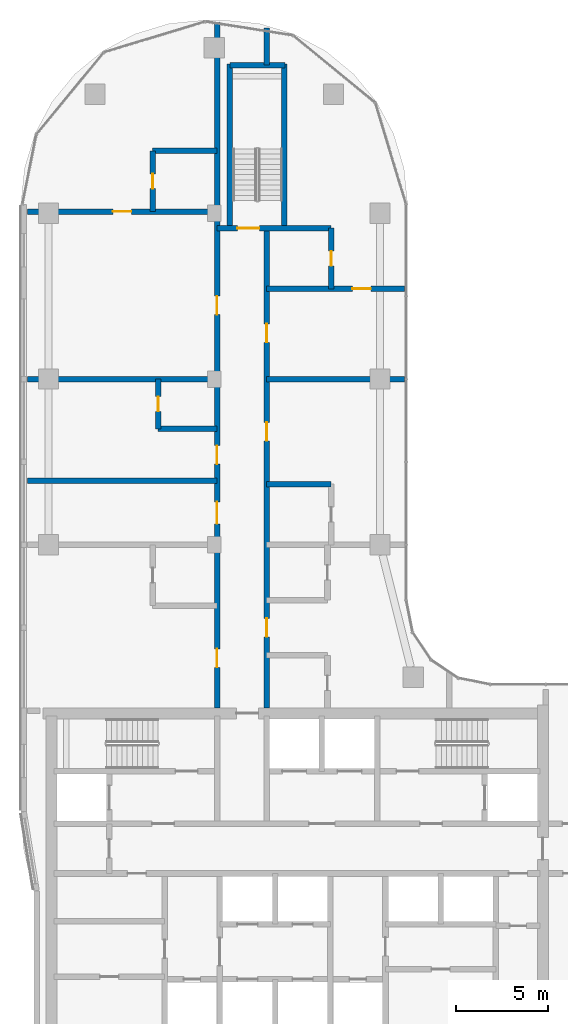
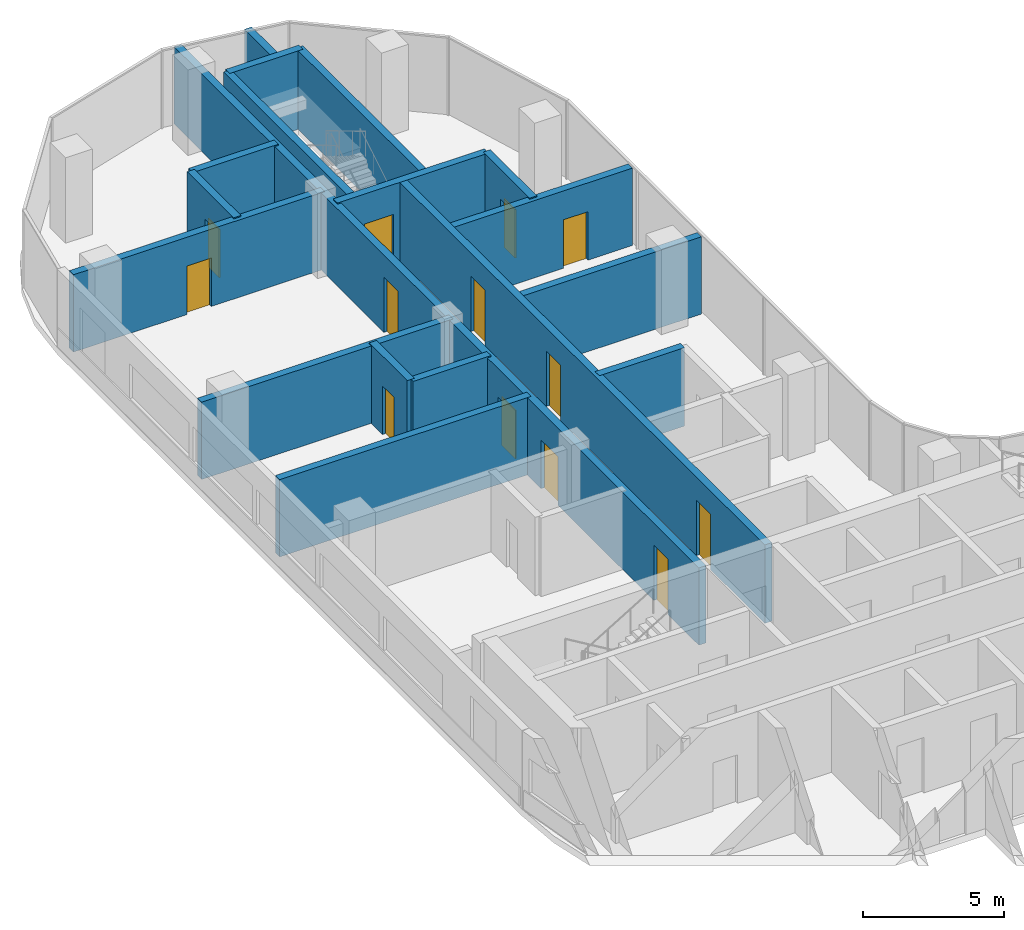
# One storey, part 13 of 23: 18 walls, 13 doors, 13 openings.
"""IFC4 building model written with IfcOpenShell, lengths in metres."""

from ifc_helpers import new_model, si_unit, direction, frame, frame_2d, origin, place, context, subcontext, project, spatial, rectangle, extrude, material, layer, layer_set, type_object, element, fill, save


model = new_model("IFC4")

# Units and contexts
model_context = context("Model", 3, precision=1e-05, world=origin(), true_north=direction((0.0, 1.0)))
body_context = subcontext(model_context, "Body", "Model", "MODEL_VIEW")
ifc_project = project(units=[si_unit("LENGTHUNIT", "METRE"), si_unit("AREAUNIT", "SQUARE_METRE"), si_unit("VOLUMEUNIT", "CUBIC_METRE"), si_unit("PLANEANGLEUNIT", "RADIAN"), si_unit("MASSUNIT", "GRAM", prefix="KILO")], contexts=[model_context])

# Site, building, storey
site_placement = place(None, origin())
site = spatial("IfcSite", under=ifc_project, at=site_placement, CompositionType="ELEMENT")
building_placement = place(site_placement, origin())
building = spatial("IfcBuilding", under=site, at=building_placement, Name="Ogive Portal Towers", CompositionType="ELEMENT")
storey_placement = place(building_placement, frame((0.0, 0.0, 149.60009765625)))
storey = spatial("IfcBuildingStorey", under=building, at=storey_placement, Name="L36", CompositionType="ELEMENT", Elevation=149.60009765625)

# Wall, opening, door
ifc_material_1 = material(Name="Concrete C50/60", Category="concrete")
ifc_layer_1 = layer(ifc_material_1, 0.300048828125)
ifc_layer_set_1 = layer_set([ifc_layer_1], Name="STAIR WALL 300 C50")
wall_type_1 = type_object("IfcWallType", Name="STAIR WALL 300 C50", PredefinedType="SHEAR", material=ifc_layer_set_1)
wall_1_placement = place(storey_placement, frame((40.64990234375, 65.699951171875, 0.0), z_axis=(0.0, 0.0, 1.0), x_axis=(1.0, 0.0, 0.0)))
wall_1 = element("IfcWall", 1, at=wall_1_placement, inside=storey, type_object=wall_type_1, Name="Stair wall ST-A3 L36", PredefinedType="SHEAR", context=body_context, shape_type="SweptSolid", body=[
    extrude(rectangle(XDim=6.2001953125, YDim=0.300048828125, at=frame_2d((3.10009765625, 0.0))), origin(), (0.0, 0.0, 1.0), 3.39990234375),
])
opening_1_placement = place(wall_1_placement, frame((1.10009765625, 0.0, 0.0)))
opening_1 = element("IfcOpeningElement", 2, at=opening_1_placement, cuts=wall_1, Name="Opening D14-053", PredefinedType="OPENING", context=body_context, shape_type="SweptSolid", body=[
    extrude(rectangle(XDim=1.199951171875, YDim=2.10009765625, at=frame_2d((0.60009765625, 1.050048828125))), frame((0.0, 0.16015625, 0.0), z_axis=(0.0, -1.0, 0.0), x_axis=(1.0, 0.0, 0.0)), (0.0, 0.0, 1.0), 0.320068359375),
])
ifc_material_2 = material(Name="Steel fire door", Category="steel")
door_type_1 = type_object("IfcDoorType", Name="DT-STAIR-1200x2100-FD90S", OperationType="SINGLE_SWING_LEFT", PredefinedType="DOOR", material=ifc_material_2)
door_1_placement = place(opening_1_placement, origin())
door_1 = element("IfcDoor", 3, at=door_1_placement, inside=storey, type_object=door_type_1, Name="Door D14-053", OperationType="SINGLE_SWING_RIGHT", OverallHeight=2.10009765625, OverallWidth=1.199951171875, PredefinedType="DOOR", context=body_context, shape_type="SweptSolid", body=[
    extrude(rectangle(XDim=1.199951171875, YDim=2.10009765625, at=frame_2d((0.60009765625, 1.050048828125))), frame((0.0, 0.02490234375, 0.0), z_axis=(0.0, -1.0, 0.0), x_axis=(1.0, 0.0, 0.0)), (0.0, 0.0, 1.0), 0.050048828125),
])
fill(opening_1, door_1)

# Walls
wall_2_placement = place(storey_placement, frame((41.35009765625, 74.550048828125, 0.0), z_axis=(0.0, 0.0, 1.0), x_axis=(1.0, 0.0, 0.0)))
element("IfcWall", 4, at=wall_2_placement, inside=storey, type_object=wall_type_1, Name="Stair wall ST-A3 L36", PredefinedType="SHEAR", context=body_context, shape_type="SweptSolid", body=[
    extrude(rectangle(XDim=3.0, YDim=0.300048828125, at=frame_2d((1.5, 0.0))), origin(), (0.0, 0.0, 1.0), 3.39990234375),
])
wall_3_placement = place(storey_placement, frame((41.35009765625, 65.75, 0.0), z_axis=(0.0, 0.0, 1.0), x_axis=(0.0, 1.0, 0.0)))
element("IfcWall", 5, at=wall_3_placement, inside=storey, type_object=wall_type_1, Name="Stair wall ST-A3 L36", PredefinedType="SHEAR", context=body_context, shape_type="SweptSolid", body=[
    extrude(rectangle(XDim=8.85009765625, YDim=0.300048828125, at=frame_2d((4.425048828125, 0.0))), origin(), (0.0, 0.0, 1.0), 3.39990234375),
])
wall_4_placement = place(storey_placement, frame((44.300048828125, 65.699951171875, 0.0), z_axis=(0.0, 0.0, 1.0), x_axis=(0.0, 1.0, 0.0)))
element("IfcWall", 6, at=wall_4_placement, inside=storey, type_object=wall_type_1, Name="Stair wall ST-A3 L36", PredefinedType="SHEAR", context=body_context, shape_type="SweptSolid", body=[
    extrude(rectangle(XDim=8.900146484375, YDim=0.300048828125, at=frame_2d((4.4501953125, 0.0))), origin(), (0.0, 0.0, 1.0), 3.39990234375),
])
ifc_material_3 = material(Name="Gypsum board partition on steel studs", Category="steel")
ifc_layer_2 = layer(ifc_material_3, 0.300048828125)
ifc_layer_set_2 = layer_set([ifc_layer_2], Name="WT-PART-300-EI 60")
wall_type_2 = type_object("IfcWallType", Name="WT-PART-300-EI 60", PredefinedType="PARTITIONING", material=ifc_layer_set_2)
wall_5_placement = place(storey_placement, frame((43.35009765625, 51.800048828125, 0.0), z_axis=(0.0, 0.0, 1.0), x_axis=(1.0, 0.0, 0.0)))
element("IfcWall", 7, at=wall_5_placement, inside=storey, type_object=wall_type_2, Name="Wall L36:w014", PredefinedType="PARTITIONING", context=body_context, shape_type="SweptSolid", body=[
    extrude(rectangle(XDim=3.5, YDim=0.300048828125, at=frame_2d((1.75, 0.0))), origin(), (0.0, 0.0, 1.0), 3.39990234375),
])
wall_6_placement = place(storey_placement, frame((30.35009765625, 51.969970703125, 0.0), z_axis=(0.0, 0.0, 1.0), x_axis=(1.0, 0.0, 0.0)))
element("IfcWall", 8, at=wall_6_placement, inside=storey, type_object=wall_type_2, Name="Wall L36:w015", PredefinedType="PARTITIONING", context=body_context, shape_type="SweptSolid", body=[
    extrude(rectangle(XDim=10.2998046875, YDim=0.300048828125, at=frame_2d((5.14990234375, 0.0))), origin(), (0.0, 0.0, 1.0), 3.349853515625),
])
wall_7_placement = place(storey_placement, frame((37.449951171875, 54.800048828125, 0.0), z_axis=(0.0, 0.0, 1.0), x_axis=(1.0, 0.0, 0.0)))
element("IfcWall", 9, at=wall_7_placement, inside=storey, type_object=wall_type_2, Name="Wall L36:w016", PredefinedType="PARTITIONING", context=body_context, shape_type="SweptSolid", body=[
    extrude(rectangle(XDim=3.199951171875, YDim=0.300048828125, at=frame_2d((1.60009765625, 0.0))), origin(), (0.0, 0.0, 1.0), 3.39990234375),
])
wall_8_placement = place(storey_placement, frame((30.35009765625, 57.5, 0.0), z_axis=(0.0, 0.0, 1.0), x_axis=(1.0, 0.0, 0.0)))
element("IfcWall", 10, at=wall_8_placement, inside=storey, type_object=wall_type_2, Name="Wall L36:w017", PredefinedType="PARTITIONING", context=body_context, shape_type="SweptSolid", body=[
    extrude(rectangle(XDim=10.2998046875, YDim=0.300048828125, at=frame_2d((5.14990234375, 0.0))), origin(), (0.0, 0.0, 1.0), 3.349853515625),
])
wall_9_placement = place(storey_placement, frame((43.35009765625, 57.5, 0.0), z_axis=(0.0, 0.0, 1.0), x_axis=(1.0, 0.0, 0.0)))
element("IfcWall", 11, at=wall_9_placement, inside=storey, type_object=wall_type_2, Name="Wall L36:w018", PredefinedType="PARTITIONING", context=body_context, shape_type="SweptSolid", body=[
    extrude(rectangle(XDim=7.47998046875, YDim=0.300048828125, at=frame_2d((3.739990234375, 0.0))), origin(), (0.0, 0.0, 1.0), 3.349853515625),
])

# Wall, opening, door
wall_10_placement = place(storey_placement, frame((43.35009765625, 62.39990234375, 0.0), z_axis=(0.0, 0.0, 1.0), x_axis=(1.0, 0.0, 0.0)))
wall_10 = element("IfcWall", 12, at=wall_10_placement, inside=storey, type_object=wall_type_2, Name="Wall L36:w019", PredefinedType="PARTITIONING", context=body_context, shape_type="SweptSolid", body=[
    extrude(rectangle(XDim=7.47998046875, YDim=0.300048828125, at=frame_2d((3.739990234375, 0.0))), origin(), (0.0, 0.0, 1.0), 3.349853515625),
])
opening_2_placement = place(wall_10_placement, frame((4.64990234375, 0.0, 0.0)))
opening_2 = element("IfcOpeningElement", 13, at=opening_2_placement, cuts=wall_10, Name="Opening D14-044", PredefinedType="OPENING", context=body_context, shape_type="SweptSolid", body=[
    extrude(rectangle(XDim=1.0, YDim=2.10009765625, at=frame_2d((0.5, 1.050048828125))), frame((0.0, 0.16015625, 0.0), z_axis=(0.0, -1.0, 0.0), x_axis=(1.0, 0.0, 0.0)), (0.0, 0.0, 1.0), 0.320068359375),
])
door_type_2 = type_object("IfcDoorType", Name="DT-ENTRY-1000x2100-FD60S", OperationType="SINGLE_SWING_LEFT", PredefinedType="DOOR", material=ifc_material_2)
door_2_placement = place(opening_2_placement, origin())
door_2 = element("IfcDoor", 14, at=door_2_placement, inside=storey, type_object=door_type_2, Name="Door D14-044", OperationType="SINGLE_SWING_LEFT", OverallHeight=2.10009765625, OverallWidth=1.0, PredefinedType="DOOR", context=body_context, shape_type="SweptSolid", body=[
    extrude(rectangle(XDim=1.0, YDim=2.10009765625, at=frame_2d((0.5, 1.050048828125))), frame((0.0, 0.02490234375, 0.0), z_axis=(0.0, -1.0, 0.0), x_axis=(1.0, 0.0, 0.0)), (0.0, 0.0, 1.0), 0.050048828125),
])
fill(opening_2, door_2)

wall_11_placement = place(storey_placement, frame((30.35009765625, 66.60009765625, 0.0), z_axis=(0.0, 0.0, 1.0), x_axis=(1.0, 0.0, 0.0)))
wall_11 = element("IfcWall", 15, at=wall_11_placement, inside=storey, type_object=wall_type_2, Name="Wall L36:w021", PredefinedType="PARTITIONING", context=body_context, shape_type="SweptSolid", body=[
    extrude(rectangle(XDim=10.2998046875, YDim=0.300048828125, at=frame_2d((5.14990234375, 0.0))), origin(), (0.0, 0.0, 1.0), 3.349853515625),
])
opening_3_placement = place(wall_11_placement, frame((4.64990234375, 0.0, 0.0)))
opening_3 = element("IfcOpeningElement", 16, at=opening_3_placement, cuts=wall_11, Name="Opening D14-047", PredefinedType="OPENING", context=body_context, shape_type="SweptSolid", body=[
    extrude(rectangle(XDim=1.0, YDim=2.10009765625, at=frame_2d((0.5, 1.050048828125))), frame((0.0, 0.16015625, 0.0), z_axis=(0.0, -1.0, 0.0), x_axis=(1.0, 0.0, 0.0)), (0.0, 0.0, 1.0), 0.320068359375),
])
door_3_placement = place(opening_3_placement, origin())
door_3 = element("IfcDoor", 17, at=door_3_placement, inside=storey, type_object=door_type_2, Name="Door D14-047", OperationType="SINGLE_SWING_LEFT", OverallHeight=2.10009765625, OverallWidth=1.0, PredefinedType="DOOR", context=body_context, shape_type="SweptSolid", body=[
    extrude(rectangle(XDim=1.0, YDim=2.10009765625, at=frame_2d((0.5, 1.050048828125))), frame((0.0, 0.02490234375, 0.0), z_axis=(0.0, -1.0, 0.0), x_axis=(1.0, 0.0, 0.0)), (0.0, 0.0, 1.0), 0.050048828125),
])
fill(opening_3, door_3)

# Wall
wall_12_placement = place(storey_placement, frame((37.14990234375, 69.89990234375, 0.0), z_axis=(0.0, 0.0, 1.0), x_axis=(1.0, 0.0, 0.0)))
element("IfcWall", 18, at=wall_12_placement, inside=storey, type_object=wall_type_2, Name="Wall L36:w022", PredefinedType="PARTITIONING", context=body_context, shape_type="SweptSolid", body=[
    extrude(rectangle(XDim=3.5, YDim=0.300048828125, at=frame_2d((1.75, 0.0))), origin(), (0.0, 0.0, 1.0), 3.39990234375),
])

# Wall, opening, door
wall_13_placement = place(storey_placement, frame((37.14990234375, 66.60009765625, 0.0), z_axis=(0.0, 0.0, 1.0), x_axis=(0.0, 1.0, 0.0)))
wall_13 = element("IfcWall", 19, at=wall_13_placement, inside=storey, type_object=wall_type_2, Name="Wall L36:w025", PredefinedType="PARTITIONING", context=body_context, shape_type="SweptSolid", body=[
    extrude(rectangle(XDim=3.2998046875, YDim=0.300048828125, at=frame_2d((1.64990234375, 0.0))), origin(), (0.0, 0.0, 1.0), 3.39990234375),
])
opening_4_placement = place(wall_13_placement, frame((1.25, 0.0, 0.0)))
opening_4 = element("IfcOpeningElement", 20, at=opening_4_placement, cuts=wall_13, Name="Opening D14-048", PredefinedType="OPENING", context=body_context, shape_type="SweptSolid", body=[
    extrude(rectangle(XDim=0.800048828125, YDim=2.10009765625, at=frame_2d((0.39990234375, 1.050048828125))), frame((0.0, 0.16015625, 0.0), z_axis=(0.0, -1.0, 0.0), x_axis=(1.0, 0.0, 0.0)), (0.0, 0.0, 1.0), 0.320068359375),
])
door_type_3 = type_object("IfcDoorType", Name="DT-BATH-800x2100-FD60S", OperationType="SINGLE_SWING_LEFT", PredefinedType="DOOR", material=ifc_material_2)
door_4_placement = place(opening_4_placement, origin())
door_4 = element("IfcDoor", 21, at=door_4_placement, inside=storey, type_object=door_type_3, Name="Door D14-048", OperationType="SINGLE_SWING_LEFT", OverallHeight=2.10009765625, OverallWidth=0.800048828125, PredefinedType="DOOR", context=body_context, shape_type="SweptSolid", body=[
    extrude(rectangle(XDim=0.800048828125, YDim=2.10009765625, at=frame_2d((0.39990234375, 1.050048828125))), frame((0.0, 0.02490234375, 0.0), z_axis=(0.0, -1.0, 0.0), x_axis=(1.0, 0.0, 0.0)), (0.0, 0.0, 1.0), 0.050048828125),
])
fill(opening_4, door_4)

wall_14_placement = place(storey_placement, frame((37.449951171875, 54.800048828125, 0.0), z_axis=(0.0, 0.0, 1.0), x_axis=(0.0, 1.0, 0.0)))
wall_14 = element("IfcWall", 22, at=wall_14_placement, inside=storey, type_object=wall_type_2, Name="Wall L36:w026", PredefinedType="PARTITIONING", context=body_context, shape_type="SweptSolid", body=[
    extrude(rectangle(XDim=2.699951171875, YDim=0.300048828125, at=frame_2d((1.35009765625, 0.0))), origin(), (0.0, 0.0, 1.0), 3.39990234375),
])
opening_5_placement = place(wall_14_placement, frame((0.949951171875, 0.0, 0.0)))
opening_5 = element("IfcOpeningElement", 23, at=opening_5_placement, cuts=wall_14, Name="Opening D14-041", PredefinedType="OPENING", context=body_context, shape_type="SweptSolid", body=[
    extrude(rectangle(XDim=0.800048828125, YDim=2.10009765625, at=frame_2d((0.39990234375, 1.050048828125))), frame((0.0, 0.16015625, 0.0), z_axis=(0.0, -1.0, 0.0), x_axis=(1.0, 0.0, 0.0)), (0.0, 0.0, 1.0), 0.320068359375),
])
door_5_placement = place(opening_5_placement, origin())
door_5 = element("IfcDoor", 24, at=door_5_placement, inside=storey, type_object=door_type_3, Name="Door D14-041", OperationType="SINGLE_SWING_LEFT", OverallHeight=2.10009765625, OverallWidth=0.800048828125, PredefinedType="DOOR", context=body_context, shape_type="SweptSolid", body=[
    extrude(rectangle(XDim=0.800048828125, YDim=2.10009765625, at=frame_2d((0.39990234375, 1.050048828125))), frame((0.0, 0.02490234375, 0.0), z_axis=(0.0, -1.0, 0.0), x_axis=(1.0, 0.0, 0.0)), (0.0, 0.0, 1.0), 0.050048828125),
])
fill(opening_5, door_5)

# Wall, openings, doors
wall_15_placement = place(storey_placement, frame((40.64990234375, 39.64990234375, 0.0), z_axis=(0.0, 0.0, 1.0), x_axis=(0.0, 1.0, 0.0)))
wall_15 = element("IfcWall", 25, at=wall_15_placement, inside=storey, type_object=wall_type_2, Name="Wall L36:w027", PredefinedType="PARTITIONING", context=body_context, shape_type="SweptSolid", body=[
    extrude(rectangle(XDim=37.239990234375, YDim=0.300048828125, at=frame_2d((18.6201171875, 0.0))), origin(), (0.0, 0.0, 1.0), 3.349853515625),
])
opening_6_placement = place(wall_15_placement, frame((2.199951171875, 0.0, 0.0)))
opening_6 = element("IfcOpeningElement", 26, at=opening_6_placement, cuts=wall_15, Name="Opening D14-037", PredefinedType="OPENING", context=body_context, shape_type="SweptSolid", body=[
    extrude(rectangle(XDim=1.0, YDim=2.39990234375, at=frame_2d((0.5, 1.199951171875))), frame((0.0, 0.16015625, 0.0), z_axis=(0.0, -1.0, 0.0), x_axis=(1.0, 0.0, 0.0)), (0.0, 0.0, 1.0), 0.320068359375),
])
opening_7_placement = place(wall_15_placement, frame((9.985107421875, 0.0, 0.0)))
opening_7 = element("IfcOpeningElement", 27, at=opening_7_placement, cuts=wall_15, Name="Opening D14-040", PredefinedType="OPENING", context=body_context, shape_type="SweptSolid", body=[
    extrude(rectangle(XDim=1.199951171875, YDim=2.10009765625, at=frame_2d((0.60009765625, 1.050048828125))), frame((0.0, 0.16015625, 0.0), z_axis=(0.0, -1.0, 0.0), x_axis=(1.0, 0.0, 0.0)), (0.0, 0.0, 1.0), 0.320068359375),
])
opening_8_placement = place(wall_15_placement, frame((13.235107421875, 0.0, 0.0)))
opening_8 = element("IfcOpeningElement", 28, at=opening_8_placement, cuts=wall_15, Name="Opening D14-042", PredefinedType="OPENING", context=body_context, shape_type="SweptSolid", body=[
    extrude(rectangle(XDim=1.0, YDim=2.10009765625, at=frame_2d((0.5, 1.050048828125))), frame((0.0, 0.16015625, 0.0), z_axis=(0.0, -1.0, 0.0), x_axis=(1.0, 0.0, 0.0)), (0.0, 0.0, 1.0), 0.320068359375),
])
opening_9_placement = place(wall_15_placement, frame((21.35009765625, 0.0, 0.0)))
opening_9 = element("IfcOpeningElement", 29, at=opening_9_placement, cuts=wall_15, Name="Opening D14-046", PredefinedType="OPENING", context=body_context, shape_type="SweptSolid", body=[
    extrude(rectangle(XDim=1.0, YDim=2.39990234375, at=frame_2d((0.5, 1.199951171875))), frame((0.0, 0.16015625, 0.0), z_axis=(0.0, -1.0, 0.0), x_axis=(1.0, 0.0, 0.0)), (0.0, 0.0, 1.0), 0.320068359375),
])
door_6_placement = place(opening_8_placement, origin())
door_6 = element("IfcDoor", 30, at=door_6_placement, inside=storey, type_object=door_type_2, Name="Door D14-042", OperationType="SINGLE_SWING_LEFT", OverallHeight=2.10009765625, OverallWidth=1.0, PredefinedType="DOOR", context=body_context, shape_type="SweptSolid", body=[
    extrude(rectangle(XDim=1.0, YDim=2.10009765625, at=frame_2d((0.5, 1.050048828125))), frame((0.0, 0.02490234375, 0.0), z_axis=(0.0, -1.0, 0.0), x_axis=(1.0, 0.0, 0.0)), (0.0, 0.0, 1.0), 0.050048828125),
])
fill(opening_8, door_6)
door_type_4 = type_object("IfcDoorType", Name="DT-ENTRY-1000x2400-FD60S", OperationType="SINGLE_SWING_LEFT", PredefinedType="DOOR", material=ifc_material_2)
door_7_placement = place(opening_6_placement, origin())
door_7 = element("IfcDoor", 31, at=door_7_placement, inside=storey, type_object=door_type_4, Name="Door D14-037", OperationType="SINGLE_SWING_LEFT", OverallHeight=2.39990234375, OverallWidth=1.0, PredefinedType="DOOR", context=body_context, shape_type="SweptSolid", body=[
    extrude(rectangle(XDim=1.0, YDim=2.39990234375, at=frame_2d((0.5, 1.199951171875))), frame((0.0, 0.02490234375, 0.0), z_axis=(0.0, -1.0, 0.0), x_axis=(1.0, 0.0, 0.0)), (0.0, 0.0, 1.0), 0.050048828125),
])
fill(opening_6, door_7)
door_8_placement = place(opening_9_placement, origin())
door_8 = element("IfcDoor", 32, at=door_8_placement, inside=storey, type_object=door_type_4, Name="Door D14-046", OperationType="SINGLE_SWING_RIGHT", OverallHeight=2.39990234375, OverallWidth=1.0, PredefinedType="DOOR", context=body_context, shape_type="SweptSolid", body=[
    extrude(rectangle(XDim=1.0, YDim=2.39990234375, at=frame_2d((0.5, 1.199951171875))), frame((0.0, 0.02490234375, 0.0), z_axis=(0.0, -1.0, 0.0), x_axis=(1.0, 0.0, 0.0)), (0.0, 0.0, 1.0), 0.050048828125),
])
fill(opening_9, door_8)
door_type_5 = type_object("IfcDoorType", Name="DT-ENTRY-1200x2100-FD60S", OperationType="SINGLE_SWING_LEFT", PredefinedType="DOOR", material=ifc_material_2)
door_9_placement = place(opening_7_placement, origin())
door_9 = element("IfcDoor", 33, at=door_9_placement, inside=storey, type_object=door_type_5, Name="Door D14-040", OperationType="SINGLE_SWING_RIGHT", OverallHeight=2.10009765625, OverallWidth=1.199951171875, PredefinedType="DOOR", context=body_context, shape_type="SweptSolid", body=[
    extrude(rectangle(XDim=1.199951171875, YDim=2.10009765625, at=frame_2d((0.60009765625, 1.050048828125))), frame((0.0, 0.02490234375, 0.0), z_axis=(0.0, -1.0, 0.0), x_axis=(1.0, 0.0, 0.0)), (0.0, 0.0, 1.0), 0.050048828125),
])
fill(opening_7, door_9)

# Wall, opening, door
wall_16_placement = place(storey_placement, frame((46.85009765625, 62.39990234375, 0.0), z_axis=(0.0, 0.0, 1.0), x_axis=(0.0, 1.0, 0.0)))
wall_16 = element("IfcWall", 34, at=wall_16_placement, inside=storey, type_object=wall_type_2, Name="Wall L36:w035", PredefinedType="PARTITIONING", context=body_context, shape_type="SweptSolid", body=[
    extrude(rectangle(XDim=3.300048828125, YDim=0.300048828125, at=frame_2d((1.64990234375, 0.0))), origin(), (0.0, 0.0, 1.0), 3.39990234375),
])
opening_10_placement = place(wall_16_placement, frame((1.25, 0.0, 0.0)))
opening_10 = element("IfcOpeningElement", 35, at=opening_10_placement, cuts=wall_16, Name="Opening D14-045", PredefinedType="OPENING", context=body_context, shape_type="SweptSolid", body=[
    extrude(rectangle(XDim=0.800048828125, YDim=2.10009765625, at=frame_2d((0.39990234375, 1.050048828125))), frame((0.0, 0.16015625, 0.0), z_axis=(0.0, -1.0, 0.0), x_axis=(1.0, 0.0, 0.0)), (0.0, 0.0, 1.0), 0.320068359375),
])
door_10_placement = place(opening_10_placement, origin())
door_10 = element("IfcDoor", 36, at=door_10_placement, inside=storey, type_object=door_type_3, Name="Door D14-045", OperationType="SINGLE_SWING_LEFT", OverallHeight=2.10009765625, OverallWidth=0.800048828125, PredefinedType="DOOR", context=body_context, shape_type="SweptSolid", body=[
    extrude(rectangle(XDim=0.800048828125, YDim=2.10009765625, at=frame_2d((0.39990234375, 1.050048828125))), frame((0.0, 0.02490234375, 0.0), z_axis=(0.0, -1.0, 0.0), x_axis=(1.0, 0.0, 0.0)), (0.0, 0.0, 1.0), 0.050048828125),
])
fill(opening_10, door_10)

# Wall, openings, doors
ifc_material_4 = material(Name="Concrete C40/50", Category="concrete")
ifc_layer_3 = layer(ifc_material_4, 0.300048828125)
ifc_layer_set_3 = layer_set([ifc_layer_3], Name="WT-SHAFT-300")
wall_type_3 = type_object("IfcWallType", Name="WT-SHAFT-300", PredefinedType="SOLIDWALL", material=ifc_layer_set_3)
wall_17_placement = place(storey_placement, frame((43.35009765625, 39.64990234375, 0.0), z_axis=(0.0, 0.0, 1.0), x_axis=(0.0, 1.0, 0.0)))
wall_17 = element("IfcWall", 37, at=wall_17_placement, inside=storey, type_object=wall_type_3, Name="Wall L36:w029", PredefinedType="SOLIDWALL", context=body_context, shape_type="SweptSolid", body=[
    extrude(rectangle(XDim=26.10009765625, YDim=0.300048828125, at=frame_2d((13.050048828125, 0.0))), origin(), (0.0, 0.0, 1.0), 3.39990234375),
])
opening_11_placement = place(wall_17_placement, frame((3.85009765625, 0.0, 0.0)))
opening_11 = element("IfcOpeningElement", 38, at=opening_11_placement, cuts=wall_17, Name="Opening D14-035", PredefinedType="OPENING", context=body_context, shape_type="SweptSolid", body=[
    extrude(rectangle(XDim=1.0, YDim=2.39990234375, at=frame_2d((0.5, 1.199951171875))), frame((0.0, 0.16015625, 0.0), z_axis=(0.0, -1.0, 0.0), x_axis=(1.0, 0.0, 0.0)), (0.0, 0.0, 1.0), 0.320068359375),
])
opening_12_placement = place(wall_17_placement, frame((14.5, 0.0, 0.0)))
opening_12 = element("IfcOpeningElement", 39, at=opening_12_placement, cuts=wall_17, Name="Opening D14-039", PredefinedType="OPENING", context=body_context, shape_type="SweptSolid", body=[
    extrude(rectangle(XDim=1.0, YDim=2.39990234375, at=frame_2d((0.5, 1.199951171875))), frame((0.0, 0.16015625, 0.0), z_axis=(0.0, -1.0, 0.0), x_axis=(1.0, 0.0, 0.0)), (0.0, 0.0, 1.0), 0.320068359375),
])
opening_13_placement = place(wall_17_placement, frame((19.85009765625, 0.0, 0.0)))
opening_13 = element("IfcOpeningElement", 40, at=opening_13_placement, cuts=wall_17, Name="Opening D14-043", PredefinedType="OPENING", context=body_context, shape_type="SweptSolid", body=[
    extrude(rectangle(XDim=1.0, YDim=2.39990234375, at=frame_2d((0.5, 1.199951171875))), frame((0.0, 0.16015625, 0.0), z_axis=(0.0, -1.0, 0.0), x_axis=(1.0, 0.0, 0.0)), (0.0, 0.0, 1.0), 0.320068359375),
])
door_type_6 = type_object("IfcDoorType", Name="DT-ENTRY-1000x2400-FD90S", OperationType="SINGLE_SWING_LEFT", PredefinedType="DOOR", material=ifc_material_2)
door_11_placement = place(opening_11_placement, origin())
door_11 = element("IfcDoor", 41, at=door_11_placement, inside=storey, type_object=door_type_6, Name="Door D14-035", OperationType="SINGLE_SWING_LEFT", OverallHeight=2.39990234375, OverallWidth=1.0, PredefinedType="DOOR", context=body_context, shape_type="SweptSolid", body=[
    extrude(rectangle(XDim=1.0, YDim=2.39990234375, at=frame_2d((0.5, 1.199951171875))), frame((0.0, 0.02490234375, 0.0), z_axis=(0.0, -1.0, 0.0), x_axis=(1.0, 0.0, 0.0)), (0.0, 0.0, 1.0), 0.050048828125),
])
fill(opening_11, door_11)
door_12_placement = place(opening_12_placement, origin())
door_12 = element("IfcDoor", 42, at=door_12_placement, inside=storey, type_object=door_type_6, Name="Door D14-039", OperationType="SINGLE_SWING_LEFT", OverallHeight=2.39990234375, OverallWidth=1.0, PredefinedType="DOOR", context=body_context, shape_type="SweptSolid", body=[
    extrude(rectangle(XDim=1.0, YDim=2.39990234375, at=frame_2d((0.5, 1.199951171875))), frame((0.0, 0.02490234375, 0.0), z_axis=(0.0, -1.0, 0.0), x_axis=(1.0, 0.0, 0.0)), (0.0, 0.0, 1.0), 0.050048828125),
])
fill(opening_12, door_12)
door_13_placement = place(opening_13_placement, origin())
door_13 = element("IfcDoor", 43, at=door_13_placement, inside=storey, type_object=door_type_6, Name="Door D14-043", OperationType="SINGLE_SWING_RIGHT", OverallHeight=2.39990234375, OverallWidth=1.0, PredefinedType="DOOR", context=body_context, shape_type="SweptSolid", body=[
    extrude(rectangle(XDim=1.0, YDim=2.39990234375, at=frame_2d((0.5, 1.199951171875))), frame((0.0, 0.02490234375, 0.0), z_axis=(0.0, -1.0, 0.0), x_axis=(1.0, 0.0, 0.0)), (0.0, 0.0, 1.0), 0.050048828125),
])
fill(opening_13, door_13)

# Wall
wall_18_placement = place(storey_placement, frame((43.35009765625, 74.550048828125, 0.0), z_axis=(0.0, 0.0, 1.0), x_axis=(0.0, 1.0, 0.0)))
element("IfcWall", 44, at=wall_18_placement, inside=storey, type_object=wall_type_3, Name="Wall L36:w030", PredefinedType="SOLIDWALL", context=body_context, shape_type="SweptSolid", body=[
    extrude(rectangle(XDim=2.02197265625, YDim=0.300048828125, at=frame_2d((1.010986328125, 0.0))), origin(), (0.0, 0.0, 1.0), 3.349853515625),
])

save(model, "model.ifc")
